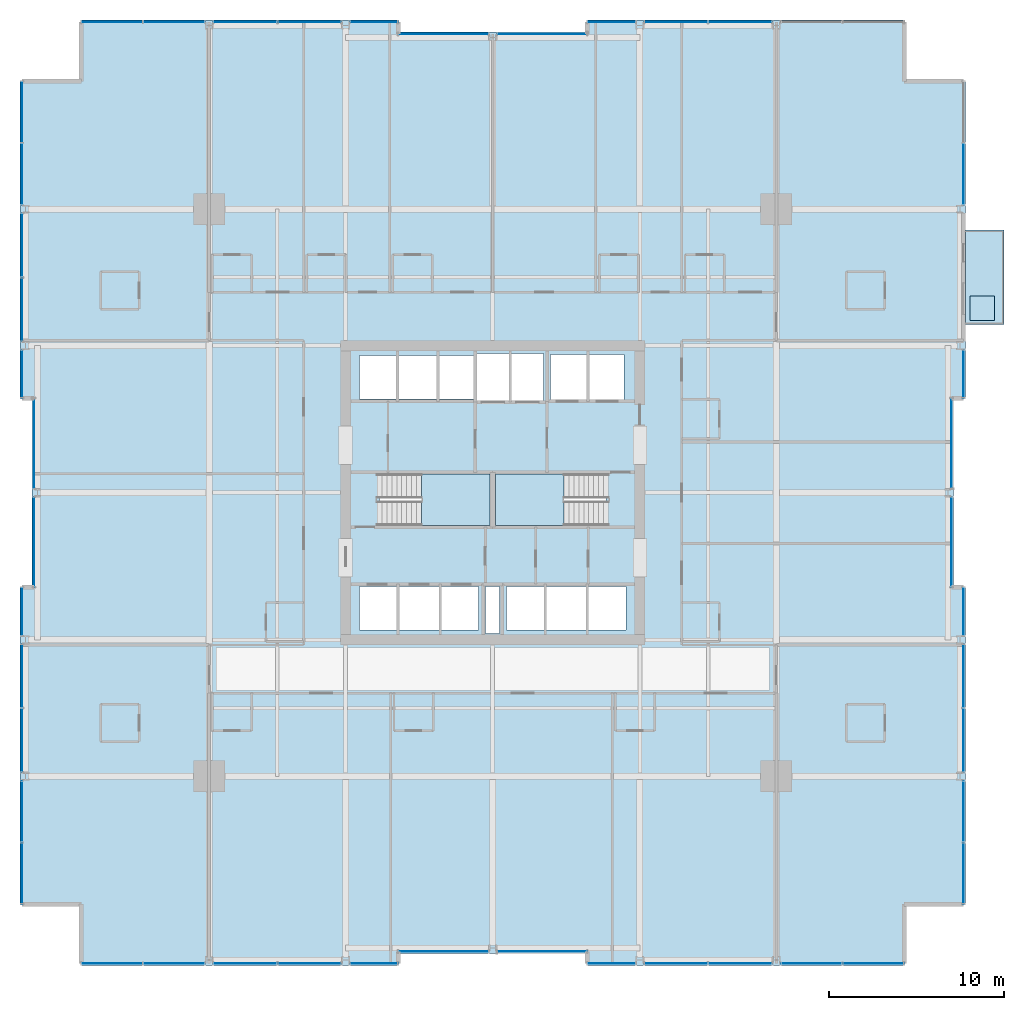
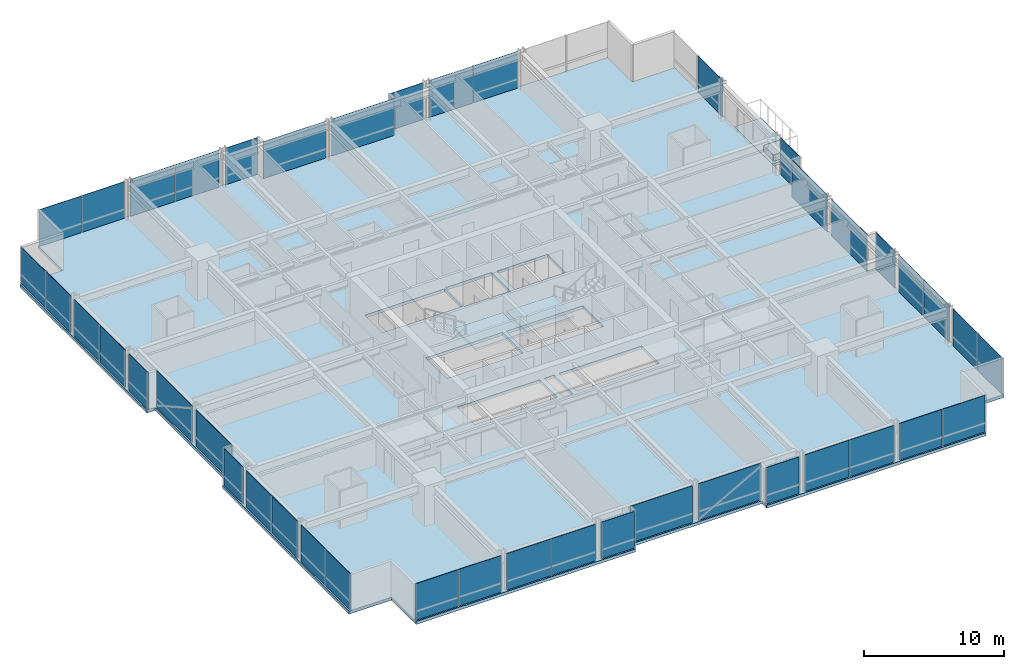
# One storey, part 29 of 38: 43 plates, 5 slabs, 32 elements without a shape of their own.
"""IFC4 building model written with IfcOpenShell, lengths in metres."""

from ifc_helpers import new_model, si_unit, direction, frame, origin, origin_2d, place, context, subcontext, project, spatial, polyline, rectangle, outline, extrude, material, layer, layer_set, type_object, element, aggregate, save


model = new_model("IFC4")

# Units and contexts
model_context = context("Model", 3, precision=1e-05, world=origin(), true_north=direction((0.0, 1.0)))
body_context = subcontext(model_context, "Body", "Model", "MODEL_VIEW")
ifc_project = project(units=[si_unit("LENGTHUNIT", "METRE"), si_unit("AREAUNIT", "SQUARE_METRE"), si_unit("VOLUMEUNIT", "CUBIC_METRE"), si_unit("PLANEANGLEUNIT", "RADIAN"), si_unit("MASSUNIT", "GRAM", prefix="KILO")], contexts=[model_context])

# Site, building, storey
site_placement = place(None, origin())
site = spatial("IfcSite", under=ifc_project, at=site_placement, CompositionType="ELEMENT")
building_placement = place(site_placement, origin())
building = spatial("IfcBuilding", under=site, at=building_placement, Name="Drelvath Grand Hotel", CompositionType="ELEMENT")
storey_placement = place(building_placement, frame((0.0, 0.0, 64.699951171875)))
storey = spatial("IfcBuildingStorey", under=building, at=storey_placement, Name="L15", CompositionType="ELEMENT", Elevation=64.699951171875)

# Slabs
ifc_material_1 = material(Name="Concrete f'c 40 MPa", Category="concrete")
ifc_layer_1 = layer(ifc_material_1, 0.239990234375)
ifc_layer_set_1 = layer_set([ifc_layer_1], Name="Concrete f'c 40 MPa")
slab_type_1 = type_object("IfcSlabType", Name="Cantilevered Tree Balcony Slab 240", PredefinedType="FLOOR", material=ifc_layer_set_1)
slab_1_placement = place(storey_placement, frame((0.0, 0.0, -0.239990234375)))
element("IfcSlab", 1, at=slab_1_placement, inside=storey, type_object=slab_type_1, Name="L15 Cantilevered Tree Balcony Slab 1", PredefinedType="FLOOR", context=body_context, shape_type="SweptSolid", body=[
    extrude(outline(polyline([(27.0, 36.60009765625), (29.199951171875, 36.60009765625), (29.199951171875, 42.0), (27.0, 42.0), (27.0, 36.60009765625)])), origin(), (0.0, 0.0, 1.0), 0.239990234375),
])
ifc_layer_2 = layer(ifc_material_1, 0.260009765625)
ifc_layer_set_2 = layer_set([ifc_layer_2], Name="Concrete f'c 40 MPa")
slab_type_2 = type_object("IfcSlabType", Name="Composite RC Floor Slab 260", PredefinedType="FLOOR", material=ifc_layer_set_2)
slab_2_placement = place(storey_placement, frame((0.0, 0.0, -0.260009765625)))
element("IfcSlab", 2, at=slab_2_placement, inside=storey, type_object=slab_type_2, Name="L15 Structural Floor Slab", PredefinedType="FLOOR", context=body_context, shape_type="SweptSolid", body=[
    extrude(outline(polyline([(-23.5, 0.0), (-5.39990234375, 0.0), (-5.39990234375, 0.679931640625), (5.39990234375, 0.679931640625), (5.39990234375, 0.0), (23.5, 0.0), (23.5, 3.5), (27.0, 3.5), (27.0, 21.60009765625), (26.320068359375, 21.60009765625), (26.320068359375, 32.39990234375), (27.0, 32.39990234375), (27.0, 50.5), (23.5, 50.5), (23.5, 54.0), (5.39990234375, 54.0), (5.39990234375, 53.320068359375), (-5.39990234375, 53.320068359375), (-5.39990234375, 54.0), (-23.5, 54.0), (-23.5, 50.5), (-27.0, 50.5), (-27.0, 32.39990234375), (-26.320068359375, 32.39990234375), (-26.320068359375, 21.60009765625), (-27.0, 21.60009765625), (-27.0, 3.5), (-23.5, 3.5), (-23.5, 0.0)]), holes=[polyline([(-6.47998046875, 25.1201171875), (-6.47998046875, 28.080078125), (-0.14990234375, 28.080078125), (-0.14990234375, 25.1201171875), (-6.47998046875, 25.1201171875)]), polyline([(0.14990234375, 25.1201171875), (0.14990234375, 28.080078125), (6.47998046875, 28.080078125), (6.47998046875, 25.1201171875), (0.14990234375, 25.1201171875)]), polyline([(-7.60009765625, 19.14990234375), (-7.60009765625, 21.64990234375), (-0.800048828125, 21.64990234375), (-0.800048828125, 19.14990234375), (-7.60009765625, 19.14990234375)]), polyline([(-0.39990234375, 18.9599609375), (-0.39990234375, 21.639892578125), (0.39990234375, 21.639892578125), (0.39990234375, 18.9599609375), (-0.39990234375, 18.9599609375)]), polyline([(0.800048828125, 19.14990234375), (0.800048828125, 21.64990234375), (7.60009765625, 21.64990234375), (7.60009765625, 19.14990234375), (0.800048828125, 19.14990234375)]), polyline([(-7.60009765625, 32.35009765625), (-7.60009765625, 34.85009765625), (-1.02001953125, 34.85009765625), (-1.02001953125, 32.35009765625), (-7.60009765625, 32.35009765625)]), polyline([(-0.89990234375, 32.25), (-0.89990234375, 34.949951171875), (2.89990234375, 34.949951171875), (2.89990234375, 32.25), (-0.89990234375, 32.25)]), polyline([(3.300048828125, 32.300048828125), (3.300048828125, 34.89990234375), (7.5, 34.89990234375), (7.5, 32.300048828125), (3.300048828125, 32.300048828125)])]), origin(), (0.0, 0.0, 1.0), 0.260009765625),
])

# Stair, slab
ifc_material_2 = material(Name="Concrete C40/50", Category="concrete")
stair_type = type_object("IfcStairType", Name="Dogleg Exit Stair W1400-R175.0", PredefinedType="HALF_TURN_STAIR", material=ifc_material_2)
stair_1_placement = place(storey_placement, origin())
stair_1 = element("IfcStair", 3, at=stair_1_placement, inside=storey, type_object=stair_type, Name="L15 Core Exit Stair ST-1", PredefinedType="HALF_TURN_STAIR")
ifc_layer_3 = layer(ifc_material_2, 0.199951171875)
ifc_layer_set_3 = layer_set([ifc_layer_3], Name="Concrete C40/50")
slab_type_3 = type_object("IfcSlabType", Name="Concrete Stair Landing Slab 200", PredefinedType="LANDING", material=ifc_layer_set_3)
slab_3_placement = place(storey_placement, frame((0.0, 0.0, 1.550048828125)))
slab_3 = element("IfcSlab", 4, at=slab_3_placement, type_object=slab_type_3, Name="ST-1 landing 1", PredefinedType="LANDING", context=body_context, shape_type="SweptSolid", body=[
    extrude(outline(polyline([(-4.080078125, 25.1201171875), (-0.14990234375, 25.1201171875), (-0.14990234375, 28.080078125), (-4.080078125, 28.080078125), (-4.080078125, 25.1201171875)])), origin(), (0.0, 0.0, 1.0), 0.199951171875),
])
aggregate(stair_1, [slab_3])

stair_2_placement = place(storey_placement, origin())
stair_2 = element("IfcStair", 5, at=stair_2_placement, inside=storey, type_object=stair_type, Name="L15 Core Exit Stair ST-2", PredefinedType="HALF_TURN_STAIR")
slab_4_placement = place(storey_placement, frame((0.0, 0.0, 1.550048828125)))
slab_4 = element("IfcSlab", 6, at=slab_4_placement, type_object=slab_type_3, Name="ST-2 landing 1", PredefinedType="LANDING", context=body_context, shape_type="SweptSolid", body=[
    extrude(outline(polyline([(4.080078125, 28.080078125), (0.14990234375, 28.080078125), (0.14990234375, 25.1201171875), (4.080078125, 25.1201171875), (4.080078125, 28.080078125)])), origin(), (0.0, 0.0, 1.0), 0.199951171875),
])
aggregate(stair_2, [slab_4])

# Curtain wall, plates
ifc_material_3 = material(Name="Warm Bronze Anodised Aluminium Frame", Category="aluminium")
ifc_layer_4 = layer(ifc_material_3, 0.199951171875)
ifc_layer_set_4 = layer_set([ifc_layer_4], Name="Warm Bronze Anodised Aluminium Frame")
curtain_wall_type = type_object("IfcCurtainWallType", Name="Stick Curtain Wall CW-02 Warm Bronze Low-Rise", PredefinedType="NOTDEFINED", material=ifc_layer_set_4)
curtain_wall_1_placement = place(storey_placement, origin())
curtain_wall_1 = element("IfcCurtainWall", 7, at=curtain_wall_1_placement, inside=storey, type_object=curtain_wall_type, Name="L15 CW-02 Curtain Wall CW02-L15-WS1", PredefinedType="NOTDEFINED")
ifc_material_4 = material(Name="Low-E Triple Silver Vision Glass Bronze Tint", Category="glass")
ifc_layer_5 = layer(ifc_material_4, 0.035888671875)
ifc_layer_set_5 = layer_set([ifc_layer_5], Name="Low-E Triple Silver Vision Glass Bronze Tint")
plate_type = type_object("IfcPlateType", Name="Curtain Wall Vision Panel CW-02 36mm", PredefinedType="CURTAIN_PANEL", material=ifc_layer_set_5)
plate_1_placement = place(storey_placement, frame((-26.8798828125, 5.267578125, 0.02001953125), z_axis=(0.0, 0.0, 1.0), x_axis=(0.0, 1.0, 0.0)))
plate_1 = element("IfcPlate", 8, at=plate_1_placement, type_object=plate_type, Name="CW02-L15-WS1 Glazed Panel 1", PredefinedType="CURTAIN_PANEL", context=body_context, shape_type="SweptSolid", body=[
    extrude(rectangle(XDim=3.495361328125, YDim=0.035888671875, at=origin_2d()), origin(), (0.0, 0.0, 1.0), 3.199951171875),
])
plate_2_placement = place(storey_placement, frame((-26.8798828125, 8.80322265625, 0.02001953125), z_axis=(0.0, 0.0, 1.0), x_axis=(0.0, 1.0, 0.0)))
plate_2 = element("IfcPlate", 9, at=plate_2_placement, type_object=plate_type, Name="CW02-L15-WS1 Glazed Panel 2", PredefinedType="CURTAIN_PANEL", context=body_context, shape_type="SweptSolid", body=[
    extrude(rectangle(XDim=3.495361328125, YDim=0.035888671875, at=origin_2d()), origin(), (0.0, 0.0, 1.0), 3.199951171875),
])
aggregate(curtain_wall_1, [plate_1, plate_2])

curtain_wall_2_placement = place(storey_placement, origin())
curtain_wall_2 = element("IfcCurtainWall", 10, at=curtain_wall_2_placement, inside=storey, type_object=curtain_wall_type, Name="L15 CW-02 Curtain Wall CW02-L15-WS2", PredefinedType="NOTDEFINED")
plate_3_placement = place(storey_placement, frame((-26.8798828125, 12.864501953125, 0.02001953125), z_axis=(0.0, 0.0, 1.0), x_axis=(0.0, 1.0, 0.0)))
plate_3 = element("IfcPlate", 11, at=plate_3_placement, type_object=plate_type, Name="CW02-L15-WS2 Glazed Panel 1", PredefinedType="CURTAIN_PANEL", context=body_context, shape_type="SweptSolid", body=[
    extrude(rectangle(XDim=3.630859375, YDim=0.035888671875, at=origin_2d()), origin(), (0.0, 0.0, 1.0), 3.199951171875),
])
plate_4_placement = place(storey_placement, frame((-26.8798828125, 16.535400390625, 0.02001953125), z_axis=(0.0, 0.0, 1.0), x_axis=(0.0, 1.0, 0.0)))
plate_4 = element("IfcPlate", 12, at=plate_4_placement, type_object=plate_type, Name="CW02-L15-WS2 Glazed Panel 2", PredefinedType="CURTAIN_PANEL", context=body_context, shape_type="SweptSolid", body=[
    extrude(rectangle(XDim=3.630859375, YDim=0.035888671875, at=origin_2d()), origin(), (0.0, 0.0, 1.0), 3.199951171875),
])
aggregate(curtain_wall_2, [plate_3, plate_4])

# Curtain wall, plate
curtain_wall_3_placement = place(storey_placement, origin())
curtain_wall_3 = element("IfcCurtainWall", 13, at=curtain_wall_3_placement, inside=storey, type_object=curtain_wall_type, Name="L15 CW-02 Curtain Wall CW02-L15-WS3", PredefinedType="NOTDEFINED")
plate_5_placement = place(storey_placement, frame((-26.8798828125, 20.214599609375, 0.02001953125), z_axis=(0.0, 0.0, 1.0), x_axis=(0.0, 1.0, 0.0)))
plate_5 = element("IfcPlate", 14, at=plate_5_placement, type_object=plate_type, Name="CW02-L15-WS3 Glazed Panel 1", PredefinedType="CURTAIN_PANEL", context=body_context, shape_type="SweptSolid", body=[
    extrude(rectangle(XDim=2.73095703125, YDim=0.035888671875, at=origin_2d()), origin(), (0.0, 0.0, 1.0), 3.199951171875),
])
aggregate(curtain_wall_3, [plate_5])

curtain_wall_4_placement = place(storey_placement, origin())
curtain_wall_4 = element("IfcCurtainWall", 15, at=curtain_wall_4_placement, inside=storey, type_object=curtain_wall_type, Name="L15 CW-02 Curtain Wall CW02-L15-WM1", PredefinedType="NOTDEFINED")
plate_6_placement = place(storey_placement, frame((-26.199951171875, 24.185302734375, 0.02001953125), z_axis=(0.0, 0.0, 1.0), x_axis=(0.0, 1.0, 0.0)))
plate_6 = element("IfcPlate", 16, at=plate_6_placement, type_object=plate_type, Name="CW02-L15-WM1 Glazed Panel 1", PredefinedType="CURTAIN_PANEL", context=body_context, shape_type="SweptSolid", body=[
    extrude(rectangle(XDim=5.130859375, YDim=0.035888671875, at=origin_2d()), origin(), (0.0, 0.0, 1.0), 3.199951171875),
])
aggregate(curtain_wall_4, [plate_6])

curtain_wall_5_placement = place(storey_placement, origin())
curtain_wall_5 = element("IfcCurtainWall", 17, at=curtain_wall_5_placement, inside=storey, type_object=curtain_wall_type, Name="L15 CW-02 Curtain Wall CW02-L15-WM2", PredefinedType="NOTDEFINED")
plate_7_placement = place(storey_placement, frame((-26.199951171875, 29.814697265625, 0.02001953125), z_axis=(0.0, 0.0, 1.0), x_axis=(0.0, 1.0, 0.0)))
plate_7 = element("IfcPlate", 18, at=plate_7_placement, type_object=plate_type, Name="CW02-L15-WM2 Glazed Panel 1", PredefinedType="CURTAIN_PANEL", context=body_context, shape_type="SweptSolid", body=[
    extrude(rectangle(XDim=5.130859375, YDim=0.035888671875, at=origin_2d()), origin(), (0.0, 0.0, 1.0), 3.199951171875),
])
aggregate(curtain_wall_5, [plate_7])

curtain_wall_6_placement = place(storey_placement, origin())
curtain_wall_6 = element("IfcCurtainWall", 19, at=curtain_wall_6_placement, inside=storey, type_object=curtain_wall_type, Name="L15 CW-02 Curtain Wall CW02-L15-WN1", PredefinedType="NOTDEFINED")
plate_8_placement = place(storey_placement, frame((-26.8798828125, 33.785400390625, 0.02001953125), z_axis=(0.0, 0.0, 1.0), x_axis=(0.0, 1.0, 0.0)))
plate_8 = element("IfcPlate", 20, at=plate_8_placement, type_object=plate_type, Name="CW02-L15-WN1 Glazed Panel 1", PredefinedType="CURTAIN_PANEL", context=body_context, shape_type="SweptSolid", body=[
    extrude(rectangle(XDim=2.73095703125, YDim=0.035888671875, at=origin_2d()), origin(), (0.0, 0.0, 1.0), 3.199951171875),
])
aggregate(curtain_wall_6, [plate_8])

# Curtain wall, plates
curtain_wall_7_placement = place(storey_placement, origin())
curtain_wall_7 = element("IfcCurtainWall", 21, at=curtain_wall_7_placement, inside=storey, type_object=curtain_wall_type, Name="L15 CW-02 Curtain Wall CW02-L15-WN2", PredefinedType="NOTDEFINED")
plate_9_placement = place(storey_placement, frame((-26.8798828125, 37.464599609375, 0.02001953125), z_axis=(0.0, 0.0, 1.0), x_axis=(0.0, 1.0, 0.0)))
plate_9 = element("IfcPlate", 22, at=plate_9_placement, type_object=plate_type, Name="CW02-L15-WN2 Glazed Panel 1", PredefinedType="CURTAIN_PANEL", context=body_context, shape_type="SweptSolid", body=[
    extrude(rectangle(XDim=3.630859375, YDim=0.035888671875, at=origin_2d()), origin(), (0.0, 0.0, 1.0), 3.199951171875),
])
plate_10_placement = place(storey_placement, frame((-26.8798828125, 41.135498046875, 0.02001953125), z_axis=(0.0, 0.0, 1.0), x_axis=(0.0, 1.0, 0.0)))
plate_10 = element("IfcPlate", 23, at=plate_10_placement, type_object=plate_type, Name="CW02-L15-WN2 Glazed Panel 2", PredefinedType="CURTAIN_PANEL", context=body_context, shape_type="SweptSolid", body=[
    extrude(rectangle(XDim=3.630859375, YDim=0.035888671875, at=origin_2d()), origin(), (0.0, 0.0, 1.0), 3.199951171875),
])
aggregate(curtain_wall_7, [plate_9, plate_10])

curtain_wall_8_placement = place(storey_placement, origin())
curtain_wall_8 = element("IfcCurtainWall", 24, at=curtain_wall_8_placement, inside=storey, type_object=curtain_wall_type, Name="L15 CW-02 Curtain Wall CW02-L15-WN3", PredefinedType="NOTDEFINED")
plate_11_placement = place(storey_placement, frame((-26.8798828125, 45.19677734375, 0.02001953125), z_axis=(0.0, 0.0, 1.0), x_axis=(0.0, 1.0, 0.0)))
plate_11 = element("IfcPlate", 25, at=plate_11_placement, type_object=plate_type, Name="CW02-L15-WN3 Glazed Panel 1", PredefinedType="CURTAIN_PANEL", context=body_context, shape_type="SweptSolid", body=[
    extrude(rectangle(XDim=3.49560546875, YDim=0.035888671875, at=origin_2d()), origin(), (0.0, 0.0, 1.0), 3.199951171875),
])
plate_12_placement = place(storey_placement, frame((-26.8798828125, 48.732421875, 0.02001953125), z_axis=(0.0, 0.0, 1.0), x_axis=(0.0, 1.0, 0.0)))
plate_12 = element("IfcPlate", 26, at=plate_12_placement, type_object=plate_type, Name="CW02-L15-WN3 Glazed Panel 2", PredefinedType="CURTAIN_PANEL", context=body_context, shape_type="SweptSolid", body=[
    extrude(rectangle(XDim=3.49560546875, YDim=0.035888671875, at=origin_2d()), origin(), (0.0, 0.0, 1.0), 3.199951171875),
])
aggregate(curtain_wall_8, [plate_11, plate_12])

# Curtain wall, plate
curtain_wall_9_placement = place(storey_placement, origin())
curtain_wall_9 = element("IfcCurtainWall", 27, at=curtain_wall_9_placement, inside=storey, type_object=curtain_wall_type, Name="L15 CW-02 Curtain Wall CW02-L15-EN1", PredefinedType="NOTDEFINED")
plate_13_placement = place(storey_placement, frame((26.8798828125, 33.785400390625, 0.02001953125), z_axis=(0.0, 0.0, 1.0), x_axis=(0.0, -1.0, 0.0)))
plate_13 = element("IfcPlate", 28, at=plate_13_placement, type_object=plate_type, Name="CW02-L15-EN1 Glazed Panel 1", PredefinedType="CURTAIN_PANEL", context=body_context, shape_type="SweptSolid", body=[
    extrude(rectangle(XDim=2.73095703125, YDim=0.035888671875, at=origin_2d()), origin(), (0.0, 0.0, 1.0), 3.199951171875),
])
aggregate(curtain_wall_9, [plate_13])

curtain_wall_10_placement = place(storey_placement, origin())
curtain_wall_10 = element("IfcCurtainWall", 29, at=curtain_wall_10_placement, inside=storey, type_object=curtain_wall_type, Name="L15 CW-02 Curtain Wall CW02-L15-EN3", PredefinedType="NOTDEFINED")
plate_14_placement = place(storey_placement, frame((26.8798828125, 45.19677734375, 0.02001953125), z_axis=(0.0, 0.0, 1.0), x_axis=(0.0, -1.0, 0.0)))
plate_14 = element("IfcPlate", 30, at=plate_14_placement, type_object=plate_type, Name="CW02-L15-EN3 Glazed Panel 2", PredefinedType="CURTAIN_PANEL", context=body_context, shape_type="SweptSolid", body=[
    extrude(rectangle(XDim=3.49560546875, YDim=0.035888671875, at=origin_2d()), origin(), (0.0, 0.0, 1.0), 3.199951171875),
])
aggregate(curtain_wall_10, [plate_14])

curtain_wall_11_placement = place(storey_placement, origin())
curtain_wall_11 = element("IfcCurtainWall", 31, at=curtain_wall_11_placement, inside=storey, type_object=curtain_wall_type, Name="L15 CW-02 Curtain Wall CW02-L15-EM1", PredefinedType="NOTDEFINED")
plate_15_placement = place(storey_placement, frame((26.199951171875, 24.185302734375, 0.02001953125), z_axis=(0.0, 0.0, 1.0), x_axis=(0.0, -1.0, 0.0)))
plate_15 = element("IfcPlate", 32, at=plate_15_placement, type_object=plate_type, Name="CW02-L15-EM1 Glazed Panel 1", PredefinedType="CURTAIN_PANEL", context=body_context, shape_type="SweptSolid", body=[
    extrude(rectangle(XDim=5.130859375, YDim=0.035888671875, at=origin_2d()), origin(), (0.0, 0.0, 1.0), 3.199951171875),
])
aggregate(curtain_wall_11, [plate_15])

curtain_wall_12_placement = place(storey_placement, origin())
curtain_wall_12 = element("IfcCurtainWall", 33, at=curtain_wall_12_placement, inside=storey, type_object=curtain_wall_type, Name="L15 CW-02 Curtain Wall CW02-L15-EM2", PredefinedType="NOTDEFINED")
plate_16_placement = place(storey_placement, frame((26.199951171875, 29.814697265625, 0.02001953125), z_axis=(0.0, 0.0, 1.0), x_axis=(0.0, -1.0, 0.0)))
plate_16 = element("IfcPlate", 34, at=plate_16_placement, type_object=plate_type, Name="CW02-L15-EM2 Glazed Panel 1", PredefinedType="CURTAIN_PANEL", context=body_context, shape_type="SweptSolid", body=[
    extrude(rectangle(XDim=5.130859375, YDim=0.035888671875, at=origin_2d()), origin(), (0.0, 0.0, 1.0), 3.199951171875),
])
aggregate(curtain_wall_12, [plate_16])

# Curtain wall, plates
curtain_wall_13_placement = place(storey_placement, origin())
curtain_wall_13 = element("IfcCurtainWall", 35, at=curtain_wall_13_placement, inside=storey, type_object=curtain_wall_type, Name="L15 CW-02 Curtain Wall CW02-L15-ES1", PredefinedType="NOTDEFINED")
plate_17_placement = place(storey_placement, frame((26.8798828125, 8.80322265625, 0.02001953125), z_axis=(0.0, 0.0, 1.0), x_axis=(0.0, -1.0, 0.0)))
plate_17 = element("IfcPlate", 36, at=plate_17_placement, type_object=plate_type, Name="CW02-L15-ES1 Glazed Panel 1", PredefinedType="CURTAIN_PANEL", context=body_context, shape_type="SweptSolid", body=[
    extrude(rectangle(XDim=3.495361328125, YDim=0.035888671875, at=origin_2d()), origin(), (0.0, 0.0, 1.0), 3.199951171875),
])
plate_18_placement = place(storey_placement, frame((26.8798828125, 5.267578125, 0.02001953125), z_axis=(0.0, 0.0, 1.0), x_axis=(0.0, -1.0, 0.0)))
plate_18 = element("IfcPlate", 37, at=plate_18_placement, type_object=plate_type, Name="CW02-L15-ES1 Glazed Panel 2", PredefinedType="CURTAIN_PANEL", context=body_context, shape_type="SweptSolid", body=[
    extrude(rectangle(XDim=3.495361328125, YDim=0.035888671875, at=origin_2d()), origin(), (0.0, 0.0, 1.0), 3.199951171875),
])
aggregate(curtain_wall_13, [plate_17, plate_18])

curtain_wall_14_placement = place(storey_placement, origin())
curtain_wall_14 = element("IfcCurtainWall", 38, at=curtain_wall_14_placement, inside=storey, type_object=curtain_wall_type, Name="L15 CW-02 Curtain Wall CW02-L15-ES2", PredefinedType="NOTDEFINED")
plate_19_placement = place(storey_placement, frame((26.8798828125, 16.535400390625, 0.02001953125), z_axis=(0.0, 0.0, 1.0), x_axis=(0.0, -1.0, 0.0)))
plate_19 = element("IfcPlate", 39, at=plate_19_placement, type_object=plate_type, Name="CW02-L15-ES2 Glazed Panel 1", PredefinedType="CURTAIN_PANEL", context=body_context, shape_type="SweptSolid", body=[
    extrude(rectangle(XDim=3.630859375, YDim=0.035888671875, at=origin_2d()), origin(), (0.0, 0.0, 1.0), 3.199951171875),
])
plate_20_placement = place(storey_placement, frame((26.8798828125, 12.864501953125, 0.02001953125), z_axis=(0.0, 0.0, 1.0), x_axis=(0.0, -1.0, 0.0)))
plate_20 = element("IfcPlate", 40, at=plate_20_placement, type_object=plate_type, Name="CW02-L15-ES2 Glazed Panel 2", PredefinedType="CURTAIN_PANEL", context=body_context, shape_type="SweptSolid", body=[
    extrude(rectangle(XDim=3.630859375, YDim=0.035888671875, at=origin_2d()), origin(), (0.0, 0.0, 1.0), 3.199951171875),
])
aggregate(curtain_wall_14, [plate_19, plate_20])

# Curtain wall, plate
curtain_wall_15_placement = place(storey_placement, origin())
curtain_wall_15 = element("IfcCurtainWall", 41, at=curtain_wall_15_placement, inside=storey, type_object=curtain_wall_type, Name="L15 CW-02 Curtain Wall CW02-L15-ES3", PredefinedType="NOTDEFINED")
plate_21_placement = place(storey_placement, frame((26.8798828125, 20.214599609375, 0.02001953125), z_axis=(0.0, 0.0, 1.0), x_axis=(0.0, -1.0, 0.0)))
plate_21 = element("IfcPlate", 42, at=plate_21_placement, type_object=plate_type, Name="CW02-L15-ES3 Glazed Panel 1", PredefinedType="CURTAIN_PANEL", context=body_context, shape_type="SweptSolid", body=[
    extrude(rectangle(XDim=2.73095703125, YDim=0.035888671875, at=origin_2d()), origin(), (0.0, 0.0, 1.0), 3.199951171875),
])
aggregate(curtain_wall_15, [plate_21])

# Curtain wall, plates
curtain_wall_16_placement = place(storey_placement, origin())
curtain_wall_16 = element("IfcCurtainWall", 43, at=curtain_wall_16_placement, inside=storey, type_object=curtain_wall_type, Name="L15 CW-02 Curtain Wall CW02-L15-NW1", PredefinedType="NOTDEFINED")
plate_22_placement = place(storey_placement, frame((-21.732421875, 53.8798828125, 0.02001953125), z_axis=(0.0, 0.0, 1.0), x_axis=(1.0, 0.0, 0.0)))
plate_22 = element("IfcPlate", 44, at=plate_22_placement, type_object=plate_type, Name="CW02-L15-NW1 Glazed Panel 1", PredefinedType="CURTAIN_PANEL", context=body_context, shape_type="SweptSolid", body=[
    extrude(rectangle(XDim=3.49560546875, YDim=0.035888671875, at=origin_2d()), origin(), (0.0, 0.0, 1.0), 3.199951171875),
])
plate_23_placement = place(storey_placement, frame((-18.19677734375, 53.8798828125, 0.02001953125), z_axis=(0.0, 0.0, 1.0), x_axis=(1.0, 0.0, 0.0)))
plate_23 = element("IfcPlate", 45, at=plate_23_placement, type_object=plate_type, Name="CW02-L15-NW1 Glazed Panel 2", PredefinedType="CURTAIN_PANEL", context=body_context, shape_type="SweptSolid", body=[
    extrude(rectangle(XDim=3.49560546875, YDim=0.035888671875, at=origin_2d()), origin(), (0.0, 0.0, 1.0), 3.199951171875),
])
aggregate(curtain_wall_16, [plate_22, plate_23])

curtain_wall_17_placement = place(storey_placement, origin())
curtain_wall_17 = element("IfcCurtainWall", 46, at=curtain_wall_17_placement, inside=storey, type_object=curtain_wall_type, Name="L15 CW-02 Curtain Wall CW02-L15-NW2", PredefinedType="NOTDEFINED")
plate_24_placement = place(storey_placement, frame((-14.135498046875, 53.8798828125, 0.02001953125), z_axis=(0.0, 0.0, 1.0), x_axis=(1.0, 0.0, 0.0)))
plate_24 = element("IfcPlate", 47, at=plate_24_placement, type_object=plate_type, Name="CW02-L15-NW2 Glazed Panel 1", PredefinedType="CURTAIN_PANEL", context=body_context, shape_type="SweptSolid", body=[
    extrude(rectangle(XDim=3.630859375, YDim=0.035888671875, at=origin_2d()), origin(), (0.0, 0.0, 1.0), 3.199951171875),
])
plate_25_placement = place(storey_placement, frame((-10.464599609375, 53.8798828125, 0.02001953125), z_axis=(0.0, 0.0, 1.0), x_axis=(1.0, 0.0, 0.0)))
plate_25 = element("IfcPlate", 48, at=plate_25_placement, type_object=plate_type, Name="CW02-L15-NW2 Glazed Panel 2", PredefinedType="CURTAIN_PANEL", context=body_context, shape_type="SweptSolid", body=[
    extrude(rectangle(XDim=3.630859375, YDim=0.035888671875, at=origin_2d()), origin(), (0.0, 0.0, 1.0), 3.199951171875),
])
aggregate(curtain_wall_17, [plate_24, plate_25])

# Curtain wall, plate
curtain_wall_18_placement = place(storey_placement, origin())
curtain_wall_18 = element("IfcCurtainWall", 49, at=curtain_wall_18_placement, inside=storey, type_object=curtain_wall_type, Name="L15 CW-02 Curtain Wall CW02-L15-NW3", PredefinedType="NOTDEFINED")
plate_26_placement = place(storey_placement, frame((-6.785400390625, 53.8798828125, 0.02001953125), z_axis=(0.0, 0.0, 1.0), x_axis=(1.0, 0.0, 0.0)))
plate_26 = element("IfcPlate", 50, at=plate_26_placement, type_object=plate_type, Name="CW02-L15-NW3 Glazed Panel 1", PredefinedType="CURTAIN_PANEL", context=body_context, shape_type="SweptSolid", body=[
    extrude(rectangle(XDim=2.73095703125, YDim=0.035888671875, at=origin_2d()), origin(), (0.0, 0.0, 1.0), 3.199951171875),
])
aggregate(curtain_wall_18, [plate_26])

curtain_wall_19_placement = place(storey_placement, origin())
curtain_wall_19 = element("IfcCurtainWall", 51, at=curtain_wall_19_placement, inside=storey, type_object=curtain_wall_type, Name="L15 CW-02 Curtain Wall CW02-L15-NM1", PredefinedType="NOTDEFINED")
plate_27_placement = place(storey_placement, frame((-2.814697265625, 53.199951171875, 0.02001953125), z_axis=(0.0, 0.0, 1.0), x_axis=(1.0, 0.0, 0.0)))
plate_27 = element("IfcPlate", 52, at=plate_27_placement, type_object=plate_type, Name="CW02-L15-NM1 Glazed Panel 1", PredefinedType="CURTAIN_PANEL", context=body_context, shape_type="SweptSolid", body=[
    extrude(rectangle(XDim=5.130859375, YDim=0.035888671875, at=origin_2d()), origin(), (0.0, 0.0, 1.0), 3.199951171875),
])
aggregate(curtain_wall_19, [plate_27])

curtain_wall_20_placement = place(storey_placement, origin())
curtain_wall_20 = element("IfcCurtainWall", 53, at=curtain_wall_20_placement, inside=storey, type_object=curtain_wall_type, Name="L15 CW-02 Curtain Wall CW02-L15-NM2", PredefinedType="NOTDEFINED")
plate_28_placement = place(storey_placement, frame((2.814697265625, 53.199951171875, 0.02001953125), z_axis=(0.0, 0.0, 1.0), x_axis=(1.0, 0.0, 0.0)))
plate_28 = element("IfcPlate", 54, at=plate_28_placement, type_object=plate_type, Name="CW02-L15-NM2 Glazed Panel 1", PredefinedType="CURTAIN_PANEL", context=body_context, shape_type="SweptSolid", body=[
    extrude(rectangle(XDim=5.130859375, YDim=0.035888671875, at=origin_2d()), origin(), (0.0, 0.0, 1.0), 3.199951171875),
])
aggregate(curtain_wall_20, [plate_28])

curtain_wall_21_placement = place(storey_placement, origin())
curtain_wall_21 = element("IfcCurtainWall", 55, at=curtain_wall_21_placement, inside=storey, type_object=curtain_wall_type, Name="L15 CW-02 Curtain Wall CW02-L15-NE1", PredefinedType="NOTDEFINED")
plate_29_placement = place(storey_placement, frame((6.785400390625, 53.8798828125, 0.02001953125), z_axis=(0.0, 0.0, 1.0), x_axis=(1.0, 0.0, 0.0)))
plate_29 = element("IfcPlate", 56, at=plate_29_placement, type_object=plate_type, Name="CW02-L15-NE1 Glazed Panel 1", PredefinedType="CURTAIN_PANEL", context=body_context, shape_type="SweptSolid", body=[
    extrude(rectangle(XDim=2.73095703125, YDim=0.035888671875, at=origin_2d()), origin(), (0.0, 0.0, 1.0), 3.199951171875),
])
aggregate(curtain_wall_21, [plate_29])

# Curtain wall, plates
curtain_wall_22_placement = place(storey_placement, origin())
curtain_wall_22 = element("IfcCurtainWall", 57, at=curtain_wall_22_placement, inside=storey, type_object=curtain_wall_type, Name="L15 CW-02 Curtain Wall CW02-L15-NE2", PredefinedType="NOTDEFINED")
plate_30_placement = place(storey_placement, frame((10.464599609375, 53.8798828125, 0.02001953125), z_axis=(0.0, 0.0, 1.0), x_axis=(1.0, 0.0, 0.0)))
plate_30 = element("IfcPlate", 58, at=plate_30_placement, type_object=plate_type, Name="CW02-L15-NE2 Glazed Panel 1", PredefinedType="CURTAIN_PANEL", context=body_context, shape_type="SweptSolid", body=[
    extrude(rectangle(XDim=3.630859375, YDim=0.035888671875, at=origin_2d()), origin(), (0.0, 0.0, 1.0), 3.199951171875),
])
plate_31_placement = place(storey_placement, frame((14.135498046875, 53.8798828125, 0.02001953125), z_axis=(0.0, 0.0, 1.0), x_axis=(1.0, 0.0, 0.0)))
plate_31 = element("IfcPlate", 59, at=plate_31_placement, type_object=plate_type, Name="CW02-L15-NE2 Glazed Panel 2", PredefinedType="CURTAIN_PANEL", context=body_context, shape_type="SweptSolid", body=[
    extrude(rectangle(XDim=3.630859375, YDim=0.035888671875, at=origin_2d()), origin(), (0.0, 0.0, 1.0), 3.199951171875),
])
aggregate(curtain_wall_22, [plate_30, plate_31])

# Curtain wall, plate
curtain_wall_23_placement = place(storey_placement, origin())
curtain_wall_23 = element("IfcCurtainWall", 60, at=curtain_wall_23_placement, inside=storey, type_object=curtain_wall_type, Name="L15 CW-02 Curtain Wall CW02-L15-SE1", PredefinedType="NOTDEFINED")
plate_32_placement = place(storey_placement, frame((6.785400390625, 0.1201171875, 0.02001953125), z_axis=(0.0, 0.0, 1.0), x_axis=(-1.0, 0.0, 0.0)))
plate_32 = element("IfcPlate", 61, at=plate_32_placement, type_object=plate_type, Name="CW02-L15-SE1 Glazed Panel 1", PredefinedType="CURTAIN_PANEL", context=body_context, shape_type="SweptSolid", body=[
    extrude(rectangle(XDim=2.73095703125, YDim=0.035888671875, at=origin_2d()), origin(), (0.0, 0.0, 1.0), 3.199951171875),
])
aggregate(curtain_wall_23, [plate_32])

# Curtain wall, plates
curtain_wall_24_placement = place(storey_placement, origin())
curtain_wall_24 = element("IfcCurtainWall", 62, at=curtain_wall_24_placement, inside=storey, type_object=curtain_wall_type, Name="L15 CW-02 Curtain Wall CW02-L15-SE2", PredefinedType="NOTDEFINED")
plate_33_placement = place(storey_placement, frame((14.135498046875, 0.1201171875, 0.02001953125), z_axis=(0.0, 0.0, 1.0), x_axis=(-1.0, 0.0, 0.0)))
plate_33 = element("IfcPlate", 63, at=plate_33_placement, type_object=plate_type, Name="CW02-L15-SE2 Glazed Panel 1", PredefinedType="CURTAIN_PANEL", context=body_context, shape_type="SweptSolid", body=[
    extrude(rectangle(XDim=3.630859375, YDim=0.035888671875, at=origin_2d()), origin(), (0.0, 0.0, 1.0), 3.199951171875),
])
plate_34_placement = place(storey_placement, frame((10.464599609375, 0.1201171875, 0.02001953125), z_axis=(0.0, 0.0, 1.0), x_axis=(-1.0, 0.0, 0.0)))
plate_34 = element("IfcPlate", 64, at=plate_34_placement, type_object=plate_type, Name="CW02-L15-SE2 Glazed Panel 2", PredefinedType="CURTAIN_PANEL", context=body_context, shape_type="SweptSolid", body=[
    extrude(rectangle(XDim=3.630859375, YDim=0.035888671875, at=origin_2d()), origin(), (0.0, 0.0, 1.0), 3.199951171875),
])
aggregate(curtain_wall_24, [plate_33, plate_34])

curtain_wall_25_placement = place(storey_placement, origin())
curtain_wall_25 = element("IfcCurtainWall", 65, at=curtain_wall_25_placement, inside=storey, type_object=curtain_wall_type, Name="L15 CW-02 Curtain Wall CW02-L15-SE3", PredefinedType="NOTDEFINED")
plate_35_placement = place(storey_placement, frame((21.732421875, 0.1201171875, 0.02001953125), z_axis=(0.0, 0.0, 1.0), x_axis=(-1.0, 0.0, 0.0)))
plate_35 = element("IfcPlate", 66, at=plate_35_placement, type_object=plate_type, Name="CW02-L15-SE3 Glazed Panel 1", PredefinedType="CURTAIN_PANEL", context=body_context, shape_type="SweptSolid", body=[
    extrude(rectangle(XDim=3.49560546875, YDim=0.035888671875, at=origin_2d()), origin(), (0.0, 0.0, 1.0), 3.199951171875),
])
plate_36_placement = place(storey_placement, frame((18.19677734375, 0.1201171875, 0.02001953125), z_axis=(0.0, 0.0, 1.0), x_axis=(-1.0, 0.0, 0.0)))
plate_36 = element("IfcPlate", 67, at=plate_36_placement, type_object=plate_type, Name="CW02-L15-SE3 Glazed Panel 2", PredefinedType="CURTAIN_PANEL", context=body_context, shape_type="SweptSolid", body=[
    extrude(rectangle(XDim=3.49560546875, YDim=0.035888671875, at=origin_2d()), origin(), (0.0, 0.0, 1.0), 3.199951171875),
])
aggregate(curtain_wall_25, [plate_35, plate_36])

# Curtain wall, plate
curtain_wall_26_placement = place(storey_placement, origin())
curtain_wall_26 = element("IfcCurtainWall", 68, at=curtain_wall_26_placement, inside=storey, type_object=curtain_wall_type, Name="L15 CW-02 Curtain Wall CW02-L15-SM1", PredefinedType="NOTDEFINED")
plate_37_placement = place(storey_placement, frame((-2.814697265625, 0.800048828125, 0.02001953125), z_axis=(0.0, 0.0, 1.0), x_axis=(-1.0, 0.0, 0.0)))
plate_37 = element("IfcPlate", 69, at=plate_37_placement, type_object=plate_type, Name="CW02-L15-SM1 Glazed Panel 1", PredefinedType="CURTAIN_PANEL", context=body_context, shape_type="SweptSolid", body=[
    extrude(rectangle(XDim=5.130859375, YDim=0.035888671875, at=origin_2d()), origin(), (0.0, 0.0, 1.0), 3.199951171875),
])
aggregate(curtain_wall_26, [plate_37])

curtain_wall_27_placement = place(storey_placement, origin())
curtain_wall_27 = element("IfcCurtainWall", 70, at=curtain_wall_27_placement, inside=storey, type_object=curtain_wall_type, Name="L15 CW-02 Curtain Wall CW02-L15-SM2", PredefinedType="NOTDEFINED")
plate_38_placement = place(storey_placement, frame((2.814697265625, 0.800048828125, 0.02001953125), z_axis=(0.0, 0.0, 1.0), x_axis=(-1.0, 0.0, 0.0)))
plate_38 = element("IfcPlate", 71, at=plate_38_placement, type_object=plate_type, Name="CW02-L15-SM2 Glazed Panel 1", PredefinedType="CURTAIN_PANEL", context=body_context, shape_type="SweptSolid", body=[
    extrude(rectangle(XDim=5.130859375, YDim=0.035888671875, at=origin_2d()), origin(), (0.0, 0.0, 1.0), 3.199951171875),
])
aggregate(curtain_wall_27, [plate_38])

# Curtain wall, plates
curtain_wall_28_placement = place(storey_placement, origin())
curtain_wall_28 = element("IfcCurtainWall", 72, at=curtain_wall_28_placement, inside=storey, type_object=curtain_wall_type, Name="L15 CW-02 Curtain Wall CW02-L15-SW1", PredefinedType="NOTDEFINED")
plate_39_placement = place(storey_placement, frame((-18.19677734375, 0.1201171875, 0.02001953125), z_axis=(0.0, 0.0, 1.0), x_axis=(-1.0, 0.0, 0.0)))
plate_39 = element("IfcPlate", 73, at=plate_39_placement, type_object=plate_type, Name="CW02-L15-SW1 Glazed Panel 1", PredefinedType="CURTAIN_PANEL", context=body_context, shape_type="SweptSolid", body=[
    extrude(rectangle(XDim=3.49560546875, YDim=0.035888671875, at=origin_2d()), origin(), (0.0, 0.0, 1.0), 3.199951171875),
])
plate_40_placement = place(storey_placement, frame((-21.732421875, 0.1201171875, 0.02001953125), z_axis=(0.0, 0.0, 1.0), x_axis=(-1.0, 0.0, 0.0)))
plate_40 = element("IfcPlate", 74, at=plate_40_placement, type_object=plate_type, Name="CW02-L15-SW1 Glazed Panel 2", PredefinedType="CURTAIN_PANEL", context=body_context, shape_type="SweptSolid", body=[
    extrude(rectangle(XDim=3.49560546875, YDim=0.035888671875, at=origin_2d()), origin(), (0.0, 0.0, 1.0), 3.199951171875),
])
aggregate(curtain_wall_28, [plate_39, plate_40])

curtain_wall_29_placement = place(storey_placement, origin())
curtain_wall_29 = element("IfcCurtainWall", 75, at=curtain_wall_29_placement, inside=storey, type_object=curtain_wall_type, Name="L15 CW-02 Curtain Wall CW02-L15-SW2", PredefinedType="NOTDEFINED")
plate_41_placement = place(storey_placement, frame((-10.464599609375, 0.1201171875, 0.02001953125), z_axis=(0.0, 0.0, 1.0), x_axis=(-1.0, 0.0, 0.0)))
plate_41 = element("IfcPlate", 76, at=plate_41_placement, type_object=plate_type, Name="CW02-L15-SW2 Glazed Panel 1", PredefinedType="CURTAIN_PANEL", context=body_context, shape_type="SweptSolid", body=[
    extrude(rectangle(XDim=3.630859375, YDim=0.035888671875, at=origin_2d()), origin(), (0.0, 0.0, 1.0), 3.199951171875),
])
plate_42_placement = place(storey_placement, frame((-14.135498046875, 0.1201171875, 0.02001953125), z_axis=(0.0, 0.0, 1.0), x_axis=(-1.0, 0.0, 0.0)))
plate_42 = element("IfcPlate", 77, at=plate_42_placement, type_object=plate_type, Name="CW02-L15-SW2 Glazed Panel 2", PredefinedType="CURTAIN_PANEL", context=body_context, shape_type="SweptSolid", body=[
    extrude(rectangle(XDim=3.630859375, YDim=0.035888671875, at=origin_2d()), origin(), (0.0, 0.0, 1.0), 3.199951171875),
])
aggregate(curtain_wall_29, [plate_41, plate_42])

# Curtain wall, plate
curtain_wall_30_placement = place(storey_placement, origin())
curtain_wall_30 = element("IfcCurtainWall", 78, at=curtain_wall_30_placement, inside=storey, type_object=curtain_wall_type, Name="L15 CW-02 Curtain Wall CW02-L15-SW3", PredefinedType="NOTDEFINED")
plate_43_placement = place(storey_placement, frame((-6.785400390625, 0.1201171875, 0.02001953125), z_axis=(0.0, 0.0, 1.0), x_axis=(-1.0, 0.0, 0.0)))
plate_43 = element("IfcPlate", 79, at=plate_43_placement, type_object=plate_type, Name="CW02-L15-SW3 Glazed Panel 1", PredefinedType="CURTAIN_PANEL", context=body_context, shape_type="SweptSolid", body=[
    extrude(rectangle(XDim=2.73095703125, YDim=0.035888671875, at=origin_2d()), origin(), (0.0, 0.0, 1.0), 3.199951171875),
])
aggregate(curtain_wall_30, [plate_43])

# Slab
ifc_layer_6 = layer(ifc_material_1, 0.550048828125)
ifc_layer_set_6 = layer_set([ifc_layer_6], Name="Concrete f'c 40 MPa")
slab_type_4 = type_object("IfcSlabType", Name="Structural Tree Planter Box 550", PredefinedType="USERDEFINED", material=ifc_layer_set_6)
slab_5_placement = place(storey_placement, origin())
element("IfcSlab", 80, at=slab_5_placement, inside=storey, type_object=slab_type_4, Name="L15 Tree Balcony Structural Planter 1", ObjectType="PLANTER", PredefinedType="USERDEFINED", context=body_context, shape_type="SweptSolid", body=[
    extrude(outline(polyline([(27.25, 36.85009765625), (28.64990234375, 36.85009765625), (28.64990234375, 38.25), (27.25, 38.25), (27.25, 36.85009765625)])), origin(), (0.0, 0.0, 1.0), 0.550048828125),
])

save(model, "model.ifc")
